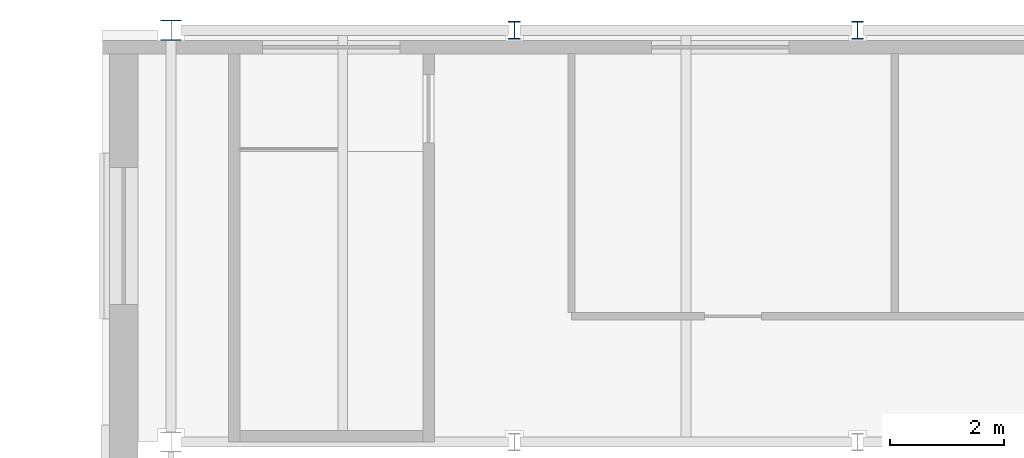
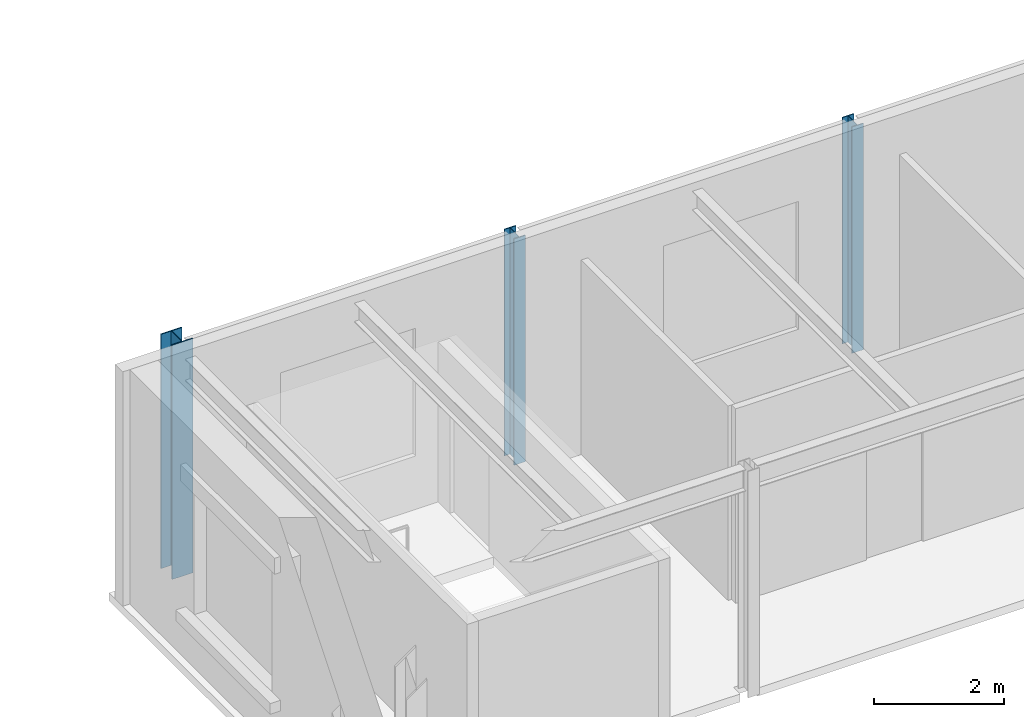
# One storey, part 15 of 169: 3 columns.
"""IFC4 building model written with IfcOpenShell, lengths in metres."""

from ifc_helpers import new_model, si_unit, direction, frame, origin, origin_2d, place, context, subcontext, project, spatial, i_section, extrude, material, material_profile, profile_set, type_object, element, save


model = new_model("IFC4")

# Units and contexts
model_context = context("Model", 3, precision=1e-05, world=origin(), true_north=direction((0.0, 1.0)))
body_context = subcontext(model_context, "Body", "Model", "MODEL_VIEW")
ifc_project = project(units=[si_unit("LENGTHUNIT", "METRE"), si_unit("AREAUNIT", "SQUARE_METRE"), si_unit("VOLUMEUNIT", "CUBIC_METRE"), si_unit("PLANEANGLEUNIT", "RADIAN"), si_unit("MASSUNIT", "GRAM", prefix="KILO")], contexts=[model_context])

# Site, building, storey
site_placement = place(None, origin())
site = spatial("IfcSite", under=ifc_project, at=site_placement, CompositionType="ELEMENT")
building_placement = place(site_placement, origin())
building = spatial("IfcBuilding", under=site, at=building_placement, Name="Verrick Yard Athletic Hall", CompositionType="ELEMENT")
storey_placement = place(building_placement, frame((0.0, 0.0, 4.39990234375)))
storey = spatial("IfcBuildingStorey", under=building, at=storey_placement, Name="L01", CompositionType="ELEMENT", Elevation=4.39990234375)

# Columns
ifc_material = material(Name="Structural steel 350W (CSA G40.21)", Category="steel")
ifc_material_profile_1 = material_profile(ifc_material, i_section(OverallWidth=0.205078125, OverallDepth=0.31005859375, WebThickness=0.009521484375, FlangeThickness=0.016357421875, at=origin_2d()), Name="W310x74")
ifc_profile_set_1 = profile_set([ifc_material_profile_1], Name="Structural steel 350W (CSA G40.21)")
column_type_1 = type_object("IfcColumnType", Name="HB column W310x74", PredefinedType="COLUMN", material=ifc_profile_set_1)
for number, where, z_axis, x_axis, name in (
    (1, (127.60009765625, 108.0, 0.0), (0.0, 0.0, 1.0), (1.0, 0.0, 0.0), "HB-C-A-B1N-L01"),
    (2, (133.60009765625, 108.0, 0.0), (0.0, 0.0, 1.0), (1.0, 0.0, 0.0), "HB-C-A-B2N-L01"),
):
    element("IfcColumn", number, at=place(storey_placement, frame(where, z_axis=z_axis, x_axis=x_axis)), inside=storey, type_object=column_type_1, Name=name, PredefinedType="COLUMN", context=body_context, shape_type="SweptSolid", body=[
        extrude(i_section(OverallWidth=0.205078125, OverallDepth=0.31005859375, WebThickness=0.009521484375, FlangeThickness=0.016357421875, at=origin_2d()), origin(), (0.0, 0.0, 1.0), 4.25),
    ])
ifc_material_profile_2 = material_profile(ifc_material, i_section(OverallWidth=0.368896484375, OverallDepth=0.35595703125, WebThickness=0.01123046875, FlangeThickness=0.01806640625, at=origin_2d()), Name="W360x134")
ifc_profile_set_2 = profile_set([ifc_material_profile_2], Name="Structural steel 350W (CSA G40.21)")
column_type_2 = type_object("IfcColumnType", Name="HB column W360x134", PredefinedType="COLUMN", material=ifc_profile_set_2)
column_placement = place(storey_placement, frame((121.60009765625, 108.0, 0.0), z_axis=(0.0, 0.0, 1.0), x_axis=(1.0, 0.0, 0.0)))
element("IfcColumn", 3, at=column_placement, inside=storey, type_object=column_type_2, Name="HB-C-HAW6-L01", PredefinedType="COLUMN", context=body_context, shape_type="SweptSolid", body=[
    extrude(i_section(OverallWidth=0.368896484375, OverallDepth=0.35595703125, WebThickness=0.01123046875, FlangeThickness=0.01806640625, at=origin_2d()), origin(), (0.0, 0.0, 1.0), 4.400146484375),
])

save(model, "model.ifc")
